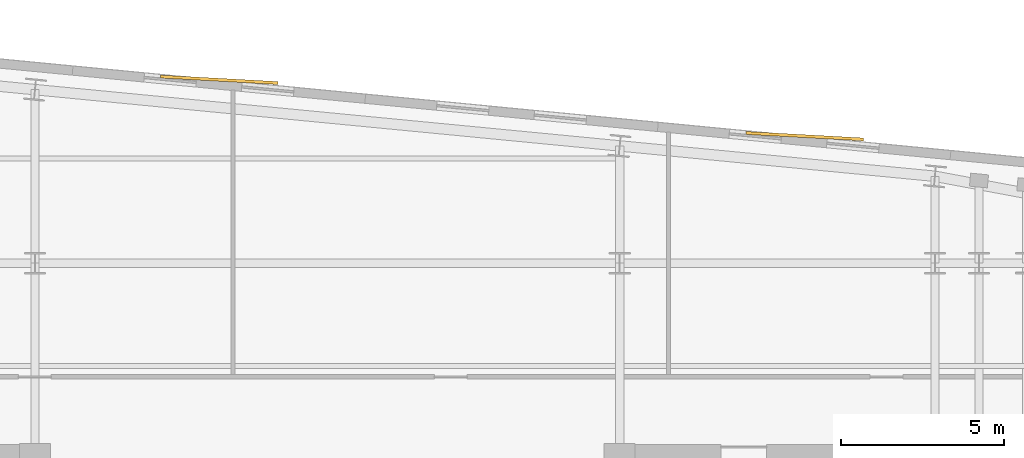
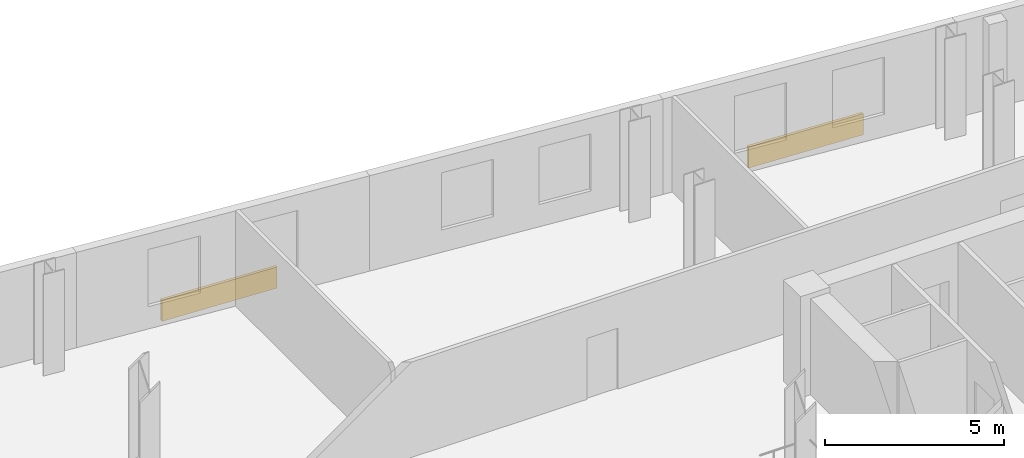
# One storey, part 9 of 9: 2 coverings.
"""IFC4 building model written with IfcOpenShell, lengths in metres."""

from ifc_helpers import new_model, si_unit, direction, frame, origin, origin_2d, place, context, subcontext, project, spatial, rectangle, extrude, material, layer, layer_set, type_object, element, save


model = new_model("IFC4")

# Units and contexts
model_context = context("Model", 3, precision=1e-05, world=origin(), true_north=direction((0.0, 1.0)))
body_context = subcontext(model_context, "Body", "Model", "MODEL_VIEW")
ifc_project = project(units=[si_unit("LENGTHUNIT", "METRE"), si_unit("AREAUNIT", "SQUARE_METRE"), si_unit("VOLUMEUNIT", "CUBIC_METRE"), si_unit("PLANEANGLEUNIT", "RADIAN"), si_unit("MASSUNIT", "GRAM", prefix="KILO")], contexts=[model_context])

# Site, building, storey
site_placement = place(None, origin())
site = spatial("IfcSite", under=ifc_project, at=site_placement, CompositionType="ELEMENT")
building_placement = place(site_placement, origin())
building = spatial("IfcBuilding", under=site, at=building_placement, Name="Velakula Bourse", CompositionType="ELEMENT")
storey_placement = place(building_placement, frame((0.0, 0.0, 170.75)))
storey = spatial("IfcBuildingStorey", under=building, at=storey_placement, Name="L46", CompositionType="ELEMENT", Elevation=170.75)

# Coverings
ifc_material = material(Name="Buff kilned clay facing brick masonry", Category="masonry")
ifc_layer = layer(ifc_material, 0.074951171875, Name="Buff kilned clay facing brick masonry", Category="masonry")
ifc_layer_set = layer_set([ifc_layer], Name="Buff kilned clay facing brick masonry")
covering_type = type_object("IfcCoveringType", Name="COV-BRK-SPN-75", PredefinedType="CLADDING", material=ifc_layer_set)
for number, where, z_axis, x_axis, name in (
    (1, (-3.304931640625, 20.213623046875, 0.0), (0.0, 0.0, 1.0), (0.998489097451, -0.054950179912, 0.0), "L46 Folded Brick Facade Cladding Panel N-B2"),
    (2, (14.6123046875, 18.48828125, 0.0), (0.0, 0.0, 1.0), (0.998489097451, -0.054950179912, 0.0), "L46 Folded Brick Facade Cladding Panel N-B4"),
):
    element("IfcCovering", number, at=place(storey_placement, frame(where, z_axis=z_axis, x_axis=x_axis)), inside=storey, type_object=covering_type, Name=name, PredefinedType="CLADDING", context=body_context, shape_type="SweptSolid", body=[
        extrude(rectangle(XDim=3.60009765625, YDim=0.090087890625, at=origin_2d()), origin(), (0.0, 0.0, 1.0), 0.719970703125),
    ])

save(model, "model.ifc")
